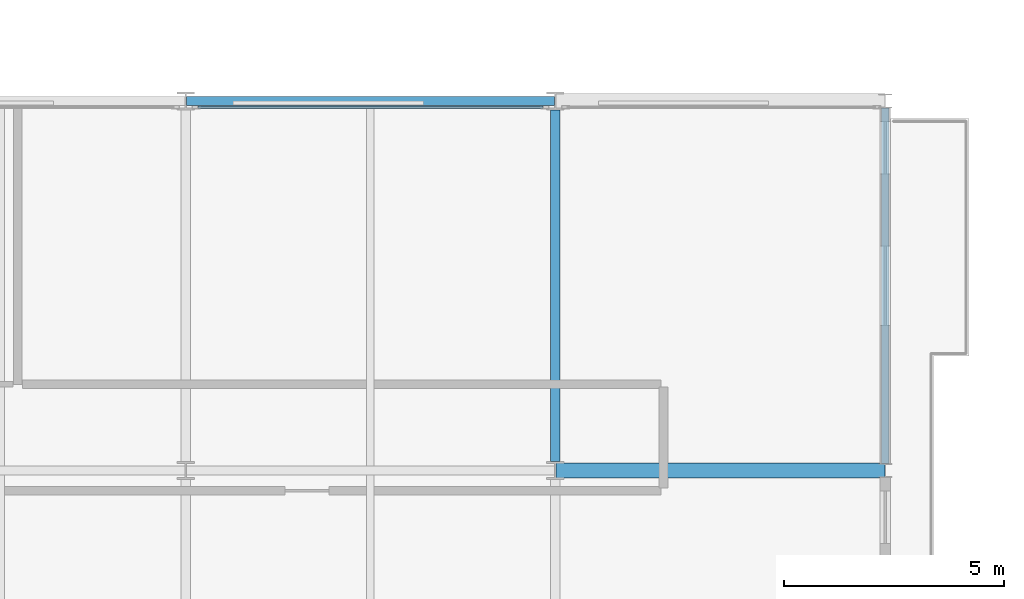
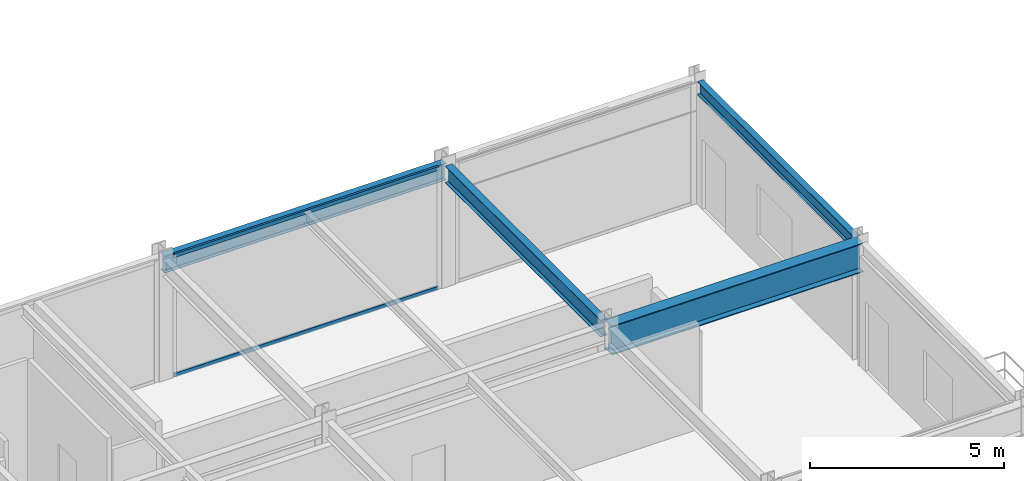
# One storey, part 21 of 38: 4 beams, 2 members, 1 element without a shape of its own.
"""IFC4 building model written with IfcOpenShell, lengths in metres."""

import ifcopenshell
import ifcopenshell.guid

model = None  # the IFC model being written
_history = None  # IfcOwnerHistory: only IFC2X3 demands one
_inside = {}  # id of a spatial element -> (the spatial element, [elements in it])
_under = {}  # id of a project, library or spatial element -> (it, [spatial elements below it])
_declared = {}  # id of a project -> (the project, [libraries it declares])
_typed = {}  # id of a type object -> (the type object, [elements of that type])
_made_of = {}  # id of a material, layer set ... -> (it, [elements and type objects made of it])


def new_model(schema):
    """Start an empty IFC model of exactly this schema.

    Asked for "IFC4X3", IfcOpenShell would pick the latest addendum, in which some entities
    have other attributes; the version numbers below select the first issue.
    IFC2X3 requires an IfcOwnerHistory on every rooted entity: one is made here for all.
    """
    global model, _history
    if schema == "IFC4X3":
        model = ifcopenshell.file(schema_version=(4, 3, 0, 0))
    else:
        model = ifcopenshell.file(schema=schema)
    _inside.clear()
    _under.clear()
    _declared.clear()
    _typed.clear()
    _made_of.clear()
    _history = None
    if model.schema == "IFC2X3":
        org = make("IfcOrganization", Name="unknown")
        user = make(
            "IfcPersonAndOrganization",
            ThePerson=make("IfcPerson", FamilyName="unknown"),
            TheOrganization=org,
        )
        app = make(
            "IfcApplication",
            ApplicationDeveloper=org,
            Version="unknown",
            ApplicationFullName="unknown",
            ApplicationIdentifier="unknown",
        )
        _history = make(
            "IfcOwnerHistory",
            OwningUser=user,
            OwningApplication=app,
            ChangeAction="ADDED",
            CreationDate=0,
        )
    return model


def make(cls, **values):
    """One entity of the class cls with the attributes given. An attribute that is None is left unset."""
    return model.create_entity(
        cls, **{name: value for name, value in values.items() if value is not None}
    )


def rooted(cls, **values):
    """An entity with a GlobalId (a new one), such as an element, a storey or a relation."""
    return make(cls, GlobalId=ifcopenshell.guid.new(), OwnerHistory=_history, **values)


def si_unit(unit_type, name, prefix=None):
    """IfcSIUnit, for example si_unit("LENGTHUNIT", "METRE", prefix="MILLI")."""
    return make("IfcSIUnit", UnitType=unit_type, Prefix=prefix, Name=name)


def assignment(units):
    """IfcUnitAssignment: the units of a project."""
    return None if units is None else make("IfcUnitAssignment", Units=units)


def point(xyz):
    """IfcCartesianPoint."""
    return None if xyz is None else make("IfcCartesianPoint", Coordinates=xyz)


def direction(xyz):
    """IfcDirection."""
    return None if xyz is None else make("IfcDirection", DirectionRatios=xyz)


def frame(location, z_axis=None, x_axis=None):
    """IfcAxis2Placement3D, a coordinate frame: its origin and axes. An axis left out is left unset."""
    return make(
        "IfcAxis2Placement3D",
        Location=point(location),
        Axis=direction(z_axis),
        RefDirection=direction(x_axis),
    )


def frame_2d(location, x_axis=None):
    """IfcAxis2Placement2D, a coordinate frame in the plane: its origin and x axis."""
    return make(
        "IfcAxis2Placement2D", Location=point(location), RefDirection=direction(x_axis)
    )


def origin():
    """The frame at (0, 0, 0) with its axes left unset."""
    return frame((0.0, 0.0, 0.0))


def origin_2d():
    """The frame at (0, 0) in the plane with its x axis left unset."""
    return frame_2d((0.0, 0.0))


def place(relative_to, where):
    """IfcLocalPlacement: puts the frame where relative to a parent placement (None: the world)."""
    return make(
        "IfcLocalPlacement", PlacementRelTo=relative_to, RelativePlacement=where
    )


def context(
    kind, dimensions, precision=None, world=None, true_north=None, identifier=None
):
    """IfcGeometricRepresentationContext, for example the 3D "Model" context."""
    return make(
        "IfcGeometricRepresentationContext",
        ContextIdentifier=identifier,
        ContextType=kind,
        CoordinateSpaceDimension=dimensions,
        Precision=precision,
        WorldCoordinateSystem=world,
        TrueNorth=true_north,
    )


def subcontext(parent, identifier, kind, view, scale=None):
    """IfcGeometricRepresentationSubContext, for example "Body" below "Model"."""
    return make(
        "IfcGeometricRepresentationSubContext",
        ContextIdentifier=identifier,
        ContextType=kind,
        ParentContext=parent,
        TargetScale=scale,
        TargetView=view,
    )


def project(units=None, contexts=None):
    """IfcProject with its units and contexts."""
    return rooted(
        "IfcProject",
        Name="project",
        RepresentationContexts=contexts,
        UnitsInContext=assignment(units),
    )


def spatial(cls, under=None, at=None, **own):
    """A site, building, storey or space (cls), placed at a placement, below another one or the project."""
    s = rooted(cls, ObjectPlacement=at, **own)
    if under is not None:
        _under.setdefault(under.id(), (under, []))[1].append(s)
    return s


def profile(cls, at=None, kind="AREA", **sizes):
    """A parametric profile (cls). Its sizes go by their IFC names, for example OverallWidth=200.0."""
    return make(cls, ProfileType=kind, Position=at, **sizes)


def hollow_rectangle(**sizes):
    """IfcRectangleHollowProfileDef."""
    return profile("IfcRectangleHollowProfileDef", **sizes)


def i_section(**sizes):
    """IfcIShapeProfileDef."""
    return profile("IfcIShapeProfileDef", **sizes)


def extrude(swept, where, along, depth):
    """IfcExtrudedAreaSolid: the profile swept, set in the frame where, extruded along a direction by depth."""
    return make(
        "IfcExtrudedAreaSolid",
        SweptArea=swept,
        Position=where,
        ExtrudedDirection=direction(along),
        Depth=depth,
    )


def shape(context_of_items, identifier, shape_type, items):
    """IfcShapeRepresentation: the items that make up one representation, for example the "Body"."""
    return make(
        "IfcShapeRepresentation",
        ContextOfItems=context_of_items,
        RepresentationIdentifier=identifier,
        RepresentationType=shape_type,
        Items=items,
    )


def material(Name=None, Category=None):
    """IfcMaterial."""
    return make("IfcMaterial", Name=Name, Category=Category)


def layer(
    of_material, thickness, ventilated=None, Name=None, Category=None, Priority=None
):
    """IfcMaterialLayer: one layer of a wall or slab, of a material (None: an air gap)."""
    return make(
        "IfcMaterialLayer",
        Material=of_material,
        LayerThickness=thickness,
        IsVentilated=ventilated,
        Name=Name,
        Category=Category,
        Priority=Priority,
    )


def layer_set(layers, Name=None):
    """IfcMaterialLayerSet."""
    return make("IfcMaterialLayerSet", MaterialLayers=layers, LayerSetName=Name)


def material_profile(
    of_material, cross_section, Name=None, Category=None, Priority=None
):
    """IfcMaterialProfile: a cross section and its material."""
    return make(
        "IfcMaterialProfile",
        Name=Name,
        Material=of_material,
        Profile=cross_section,
        Priority=Priority,
        Category=Category,
    )


def profile_set(profiles, Name=None, composite=None):
    """IfcMaterialProfileSet."""
    return make(
        "IfcMaterialProfileSet",
        Name=Name,
        MaterialProfiles=profiles,
        CompositeProfile=composite,
    )


def made_of(thing, what):
    """Note that an element or type object is made of a material, layer set ...; save() writes the relation."""
    if what is not None:
        _made_of.setdefault(what.id(), (what, []))[1].append(thing)
    return thing


def type_object(cls, material=None, **own):
    """A type object (cls), such as IfcWallType, which elements share."""
    return made_of(rooted(cls, **own), material)


def element(
    cls,
    number,
    at=None,
    inside=None,
    cuts=None,
    type_object=None,
    material=None,
    context=None,
    identifier="Body",
    shape_type=None,
    held_by="IfcProductDefinitionShape",
    body=None,
    shapes=None,
    **own,
):
    """One element of the class cls, such as IfcWall. Its Tag is "e" and its number.

    at: its placement. inside: the storey or other place that contains it. cuts: it is an
    opening in that element (IfcRelVoidsElement). A single representation is given by context,
    identifier, shape_type and body (its items); several are given by shapes. held_by: the class
    of the entity that holds the representations. save() writes the other relations.
    """
    e = rooted(cls, Tag="e%d" % number, ObjectPlacement=at, **own)
    if body is not None:
        shapes = [shape(context, identifier, shape_type, body)]
    if shapes is not None:
        e.Representation = make(held_by, Representations=shapes)
    if inside is not None:
        _inside.setdefault(inside.id(), (inside, []))[1].append(e)
    if cuts is not None:
        rooted(
            "IfcRelVoidsElement", RelatingBuildingElement=cuts, RelatedOpeningElement=e
        )
    if type_object is not None:
        _typed.setdefault(type_object.id(), (type_object, []))[1].append(e)
    return made_of(e, material)


def aggregate(whole, parts):
    """IfcRelAggregates: a whole, such as a stair, and the parts it consists of."""
    return rooted("IfcRelAggregates", RelatingObject=whole, RelatedObjects=parts)


def save(model, path):
    """Write the relations noted so far, then the file.

    IfcRelAggregates (storeys below a building ...), IfcRelContainedInSpatialStructure (elements
    in a storey), IfcRelDefinesByType, IfcRelAssociatesMaterial and IfcRelDeclares: one each for
    every whole, place, type object, material and project.
    """
    for whole, parts in _under.values():
        aggregate(whole, parts)
    for where, things in _inside.values():
        rooted(
            "IfcRelContainedInSpatialStructure",
            RelatedElements=things,
            RelatingStructure=where,
        )
    for kind, things in _typed.values():
        rooted("IfcRelDefinesByType", RelatedObjects=things, RelatingType=kind)
    for what, things in _made_of.values():
        rooted("IfcRelAssociatesMaterial", RelatedObjects=things, RelatingMaterial=what)
    for by, libraries in _declared.values():
        rooted("IfcRelDeclares", RelatingContext=by, RelatedDefinitions=libraries)
    model.write(path)


model = new_model("IFC4")

# Units and contexts
model_context = context("Model", 3, precision=1e-05, world=origin(), true_north=direction((0.0, 1.0)))
body_context = subcontext(model_context, "Body", "Model", "MODEL_VIEW")
ifc_project = project(units=[si_unit("LENGTHUNIT", "METRE"), si_unit("AREAUNIT", "SQUARE_METRE"), si_unit("VOLUMEUNIT", "CUBIC_METRE"), si_unit("PLANEANGLEUNIT", "RADIAN"), si_unit("MASSUNIT", "GRAM", prefix="KILO")], contexts=[model_context])

# Site, building, storey
site_placement = place(None, origin())
site = spatial("IfcSite", under=ifc_project, at=site_placement, CompositionType="ELEMENT")
building_placement = place(site_placement, origin())
building = spatial("IfcBuilding", under=site, at=building_placement, Name="Nerrivon Quay Data Exchange", CompositionType="ELEMENT")
storey_placement = place(building_placement, frame((0.0, 0.0, 84.39990234375)))
storey = spatial("IfcBuildingStorey", under=building, at=storey_placement, Name="L19", CompositionType="ELEMENT", Elevation=84.39990234375)

# Beams
ifc_material_1 = material(Name="Steel Grade 350", Category="steel")
ifc_material_profile_1 = material_profile(ifc_material_1, i_section(OverallWidth=0.35009765625, OverallDepth=0.909912109375, WebThickness=0.011962890625, FlangeThickness=0.02490234375, at=origin_2d()), Name="900WB218")
ifc_profile_set_1 = profile_set([ifc_material_profile_1], Name="Steel Grade 350")
beam_type_1 = type_object("IfcBeamType", Name="BM-CANT-900WB", PredefinedType="USERDEFINED", material=ifc_profile_set_1)
beam_1_placement = place(storey_placement, frame((50.41259765625, 16.800048828125, 3.3701171875), z_axis=(1.0, 0.0, 0.0), x_axis=(0.0, 1.0, 0.0)))
element("IfcBeam", 1, at=beam_1_placement, inside=storey, type_object=beam_type_1, Name="L19 East Hooked Cantilever Girder Y=16.8", ObjectType="TRANSFER", PredefinedType="USERDEFINED", context=body_context, shape_type="SweptSolid", body=[
    extrude(i_section(OverallWidth=0.35009765625, OverallDepth=0.909912109375, WebThickness=0.011962890625, FlangeThickness=0.02490234375, at=origin_2d()), origin(), (0.0, 0.0, 1.0), 7.4794921875),
])
ifc_material_profile_2 = material_profile(ifc_material_1, i_section(OverallWidth=0.208984375, OverallDepth=0.532958984375, WebThickness=0.01025390625, FlangeThickness=0.015625, FilletRadius=0.013916015625, at=origin_2d()), Name="530UB92.4")
ifc_profile_set_2 = profile_set([ifc_material_profile_2], Name="Steel Grade 350")
beam_type_2 = type_object("IfcBeamType", Name="BM-G3-530UB92", PredefinedType="BEAM", material=ifc_profile_set_2)
beam_2_placement = place(storey_placement, frame((42.012451171875, 25.199951171875, 3.55859375), z_axis=(1.0, 0.0, 0.0), x_axis=(0.0, 1.0, 0.0)))
element("IfcBeam", 2, at=beam_2_placement, inside=storey, type_object=beam_type_2, Name="L19 EW Girder Y=25.2 (42.0..50.4)", PredefinedType="BEAM", context=body_context, shape_type="SweptSolid", body=[
    extrude(i_section(OverallWidth=0.208984375, OverallDepth=0.532958984375, WebThickness=0.01025390625, FlangeThickness=0.015625, FilletRadius=0.013916015625, at=origin_2d()), origin(), (0.0, 0.0, 1.0), 8.375),
])
ifc_material_profile_3 = material_profile(ifc_material_1, i_section(OverallWidth=0.208984375, OverallDepth=0.528076171875, WebThickness=0.009521484375, FlangeThickness=0.01318359375, FilletRadius=0.013916015625, at=origin_2d()), Name="530UB82.0")
ifc_profile_set_3 = profile_set([ifc_material_profile_3], Name="Steel Grade 350")
beam_type_3 = type_object("IfcBeamType", Name="BM-G4-530UB82", PredefinedType="BEAM", material=ifc_profile_set_3)
beam_3_placement = place(storey_placement, frame((50.39990234375, 17.0, 3.56103515625), z_axis=(0.0, 1.0, 0.0), x_axis=(-1.0, 0.0, 0.0)))
element("IfcBeam", 3, at=beam_3_placement, inside=storey, type_object=beam_type_3, Name="L19 NS Girder X=50.4 (16.8..25.2)", PredefinedType="BEAM", context=body_context, shape_type="SweptSolid", body=[
    extrude(i_section(OverallWidth=0.208984375, OverallDepth=0.528076171875, WebThickness=0.009521484375, FlangeThickness=0.01318359375, FilletRadius=0.013916015625, at=origin_2d()), origin(), (0.0, 0.0, 1.0), 8.0),
])
ifc_material_profile_4 = material_profile(ifc_material_1, i_section(OverallWidth=0.177978515625, OverallDepth=0.403076171875, WebThickness=0.007568359375, FlangeThickness=0.010986328125, FilletRadius=0.011474609375, at=origin_2d()), Name="410UB53.7")
ifc_profile_set_4 = profile_set([ifc_material_profile_4], Name="Steel Grade 350")
beam_type_4 = type_object("IfcBeamType", Name="BM-SP2-410UB54", PredefinedType="SPANDREL", material=ifc_profile_set_4)
beam_4_placement = place(storey_placement, frame((57.89990234375, 16.96337890625, 3.62353515625), z_axis=(0.0, 1.0, 0.0), x_axis=(-1.0, 0.0, 0.0)))
element("IfcBeam", 4, at=beam_4_placement, inside=storey, type_object=beam_type_4, Name="L19 East Hooked Edge Spandrel", PredefinedType="SPANDREL", context=body_context, shape_type="SweptSolid", body=[
    extrude(i_section(OverallWidth=0.177978515625, OverallDepth=0.403076171875, WebThickness=0.007568359375, FlangeThickness=0.010986328125, FilletRadius=0.011474609375, at=origin_2d()), origin(), (0.0, 0.0, 1.0), 8.0732421875),
])

# Curtain wall, members
ifc_material_2 = material(Name="Anodised aluminium 6063-T6", Category="aluminium")
ifc_layer = layer(ifc_material_2, 0.2099609375)
ifc_layer_set = layer_set([ifc_layer], Name="Anodised aluminium 6063-T6")
curtain_wall_type = type_object("IfcCurtainWallType", Name="CW-SYS-02", PredefinedType="NOTDEFINED", material=ifc_layer_set)
curtain_wall_placement = place(storey_placement, origin())
curtain_wall = element("IfcCurtainWall", 5, at=curtain_wall_placement, inside=storey, type_object=curtain_wall_type, Name="L19 Unitised Curtain Wall 34", PredefinedType="NOTDEFINED")
ifc_material_profile_5 = material_profile(ifc_material_2, hollow_rectangle(XDim=0.06005859375, YDim=0.1201171875, WallThickness=0.003173828125, at=origin_2d()), Name="ALU-TRAN-120x60")
ifc_profile_set_5 = profile_set([ifc_material_profile_5], Name="Anodised aluminium 6063-T6")
member_type = type_object("IfcMemberType", Name="CWT-120x60", PredefinedType="USERDEFINED", material=ifc_profile_set_5)
member_1_placement = place(storey_placement, frame((42.27490234375, 25.06005859375, 0.03271484375), z_axis=(1.0, 0.0, 0.0), x_axis=(0.0, 1.0, 0.0)))
member_1 = element("IfcMember", 6, at=member_1_placement, type_object=member_type, Name="CW02 transom 1.1", ObjectType="TRANSOM", PredefinedType="USERDEFINED", context=body_context, shape_type="SweptSolid", body=[
    extrude(hollow_rectangle(XDim=0.06005859375, YDim=0.1201171875, WallThickness=0.003173828125, at=origin_2d()), origin(), (0.0, 0.0, 1.0), 7.85009765625),
])
member_2_placement = place(storey_placement, frame((42.27490234375, 25.06005859375, 3.79248046875), z_axis=(1.0, 0.0, 0.0), x_axis=(0.0, 1.0, 0.0)))
member_2 = element("IfcMember", 7, at=member_2_placement, type_object=member_type, Name="CW02 transom 1.2", ObjectType="TRANSOM", PredefinedType="USERDEFINED", context=body_context, shape_type="SweptSolid", body=[
    extrude(hollow_rectangle(XDim=0.06005859375, YDim=0.1201171875, WallThickness=0.003173828125, at=origin_2d()), origin(), (0.0, 0.0, 1.0), 7.85009765625),
])
aggregate(curtain_wall, [member_1, member_2])

save(model, "model.ifc")
